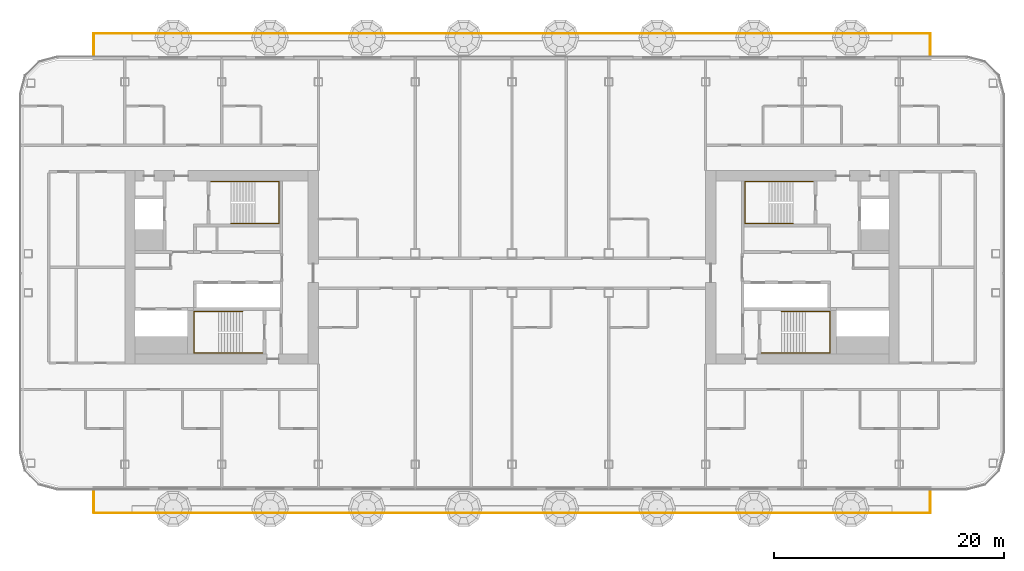
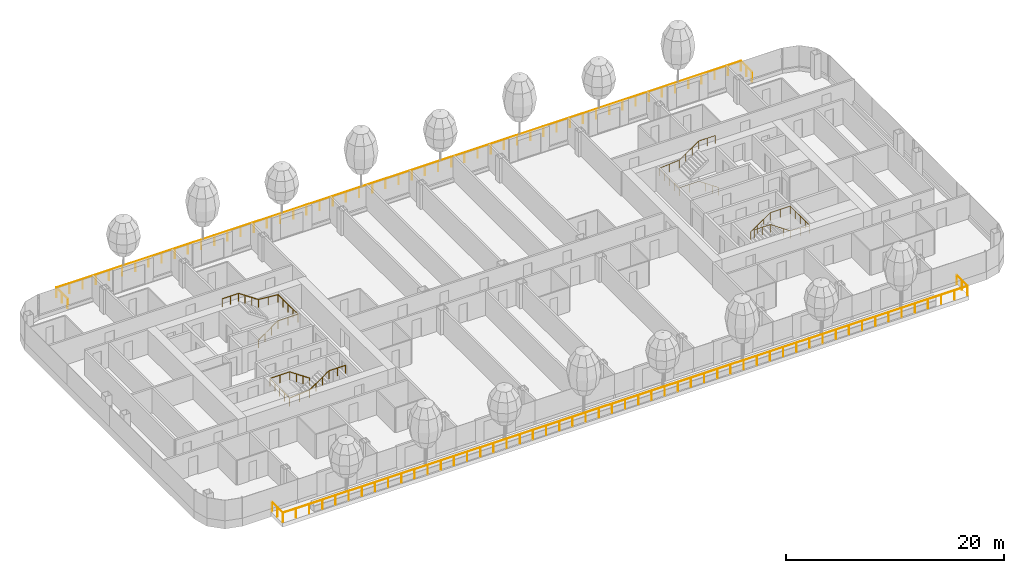
# One storey, part 24 of 29: 6 railings.
"""IFC4 building model written with IfcOpenShell, lengths in metres."""

from ifc_helpers import new_model, si_unit, direction, frame, origin, origin_2d, place, context, subcontext, project, spatial, circle, extrude, material, type_object, element, save


model = new_model("IFC4")

# Units and contexts
model_context = context("Model", 3, precision=1e-05, world=origin(), true_north=direction((0.0, 1.0)))
body_context = subcontext(model_context, "Body", "Model", "MODEL_VIEW")
ifc_project = project(units=[si_unit("LENGTHUNIT", "METRE"), si_unit("AREAUNIT", "SQUARE_METRE"), si_unit("VOLUMEUNIT", "CUBIC_METRE"), si_unit("PLANEANGLEUNIT", "RADIAN"), si_unit("MASSUNIT", "GRAM", prefix="KILO")], contexts=[model_context])

# Site, building, storey
site_placement = place(None, origin())
site = spatial("IfcSite", under=ifc_project, at=site_placement, CompositionType="ELEMENT")
building_placement = place(site_placement, origin())
building = spatial("IfcBuilding", under=site, at=building_placement, Name="Hakoniwa Tower and Hamabe Station Hall", CompositionType="ELEMENT")
storey_placement = place(building_placement, frame((0.0, 0.0, 163.0)))
storey = spatial("IfcBuildingStorey", under=building, at=storey_placement, Name="L46", CompositionType="ELEMENT", Elevation=163.0)

# Railings
ifc_material_1 = material(Name="Stainless steel and laminated glass", Category="steel")
railing_type_1 = type_object("IfcRailingType", Name="BALCONY BALUSTRADE 1100", PredefinedType="BALUSTRADE", material=ifc_material_1)
railing_1_placement = place(storey_placement, frame((-36.300048828125, 18.300048828125, 0.0)))
element("IfcRailing", 1, at=railing_1_placement, inside=storey, type_object=railing_type_1, Name="Balcony balustrade", PredefinedType="BALUSTRADE", context=body_context, shape_type="SweptSolid", body=[
    extrude(circle(Radius=0.02392578125, at=origin_2d()), frame((0.0, 0.0, 1.076171875), z_axis=(0.0, 1.0, 0.0), x_axis=(-1.0, 0.0, 0.0)), (0.0, 0.0, 1.0), 2.0),
    extrude(circle(Radius=0.02392578125, at=origin_2d()), frame((0.0, 2.0, 1.076171875), z_axis=(1.0, 0.0, 0.0), x_axis=(0.0, 1.0, 0.0)), (0.0, 0.0, 1.0), 72.60009765625),
    extrude(circle(Radius=0.02392578125, at=origin_2d()), frame((72.60009765625, 2.0, 1.076171875), z_axis=(0.0, -1.0, 0.0), x_axis=(1.0, 0.0, 0.0)), (0.0, 0.0, 1.0), 2.0),
    extrude(circle(Radius=0.02099609375, at=origin_2d()), origin(), (0.0, 0.0, 1.0), 1.052001953125),
    extrude(circle(Radius=0.02099609375, at=origin_2d()), frame((0.0, 1.0, 0.0)), (0.0, 0.0, 1.0), 1.052001953125),
    extrude(circle(Radius=0.02099609375, at=origin_2d()), frame((0.0, 2.0, 0.0)), (0.0, 0.0, 1.0), 1.052001953125),
    extrude(circle(Radius=0.02099609375, at=origin_2d()), frame((1.396240234375, 2.0, 0.0)), (0.0, 0.0, 1.0), 1.052001953125),
    extrude(circle(Radius=0.02099609375, at=origin_2d()), frame((2.792236328125, 2.0, 0.0)), (0.0, 0.0, 1.0), 1.052001953125),
    extrude(circle(Radius=0.02099609375, at=origin_2d()), frame((4.1884765625, 2.0, 0.0)), (0.0, 0.0, 1.0), 1.052001953125),
    extrude(circle(Radius=0.02099609375, at=origin_2d()), frame((5.584716796875, 2.0, 0.0)), (0.0, 0.0, 1.0), 1.052001953125),
    extrude(circle(Radius=0.02099609375, at=origin_2d()), frame((6.980712890625, 2.0, 0.0)), (0.0, 0.0, 1.0), 1.052001953125),
    extrude(circle(Radius=0.02099609375, at=origin_2d()), frame((8.376953125, 2.0, 0.0)), (0.0, 0.0, 1.0), 1.052001953125),
    extrude(circle(Radius=0.02099609375, at=origin_2d()), frame((9.773193359375, 2.0, 0.0)), (0.0, 0.0, 1.0), 1.052001953125),
    extrude(circle(Radius=0.02099609375, at=origin_2d()), frame((11.169189453125, 2.0, 0.0)), (0.0, 0.0, 1.0), 1.052001953125),
    extrude(circle(Radius=0.02099609375, at=origin_2d()), frame((12.5654296875, 2.0, 0.0)), (0.0, 0.0, 1.0), 1.052001953125),
    extrude(circle(Radius=0.02099609375, at=origin_2d()), frame((13.961669921875, 2.0, 0.0)), (0.0, 0.0, 1.0), 1.052001953125),
    extrude(circle(Radius=0.02099609375, at=origin_2d()), frame((15.357666015625, 2.0, 0.0)), (0.0, 0.0, 1.0), 1.052001953125),
    extrude(circle(Radius=0.02099609375, at=origin_2d()), frame((16.75390625, 2.0, 0.0)), (0.0, 0.0, 1.0), 1.052001953125),
    extrude(circle(Radius=0.02099609375, at=origin_2d()), frame((18.14990234375, 2.0, 0.0)), (0.0, 0.0, 1.0), 1.052001953125),
    extrude(circle(Radius=0.02099609375, at=origin_2d()), frame((19.546142578125, 2.0, 0.0)), (0.0, 0.0, 1.0), 1.052001953125),
    extrude(circle(Radius=0.02099609375, at=origin_2d()), frame((20.9423828125, 2.0, 0.0)), (0.0, 0.0, 1.0), 1.052001953125),
    extrude(circle(Radius=0.02099609375, at=origin_2d()), frame((22.33837890625, 2.0, 0.0)), (0.0, 0.0, 1.0), 1.052001953125),
    extrude(circle(Radius=0.02099609375, at=origin_2d()), frame((23.734619140625, 2.0, 0.0)), (0.0, 0.0, 1.0), 1.052001953125),
    extrude(circle(Radius=0.02099609375, at=origin_2d()), frame((25.130859375, 2.0, 0.0)), (0.0, 0.0, 1.0), 1.052001953125),
    extrude(circle(Radius=0.02099609375, at=origin_2d()), frame((26.52685546875, 2.0, 0.0)), (0.0, 0.0, 1.0), 1.052001953125),
    extrude(circle(Radius=0.02099609375, at=origin_2d()), frame((27.923095703125, 2.0, 0.0)), (0.0, 0.0, 1.0), 1.052001953125),
    extrude(circle(Radius=0.02099609375, at=origin_2d()), frame((29.3193359375, 2.0, 0.0)), (0.0, 0.0, 1.0), 1.052001953125),
    extrude(circle(Radius=0.02099609375, at=origin_2d()), frame((30.71533203125, 2.0, 0.0)), (0.0, 0.0, 1.0), 1.052001953125),
    extrude(circle(Radius=0.02099609375, at=origin_2d()), frame((32.111572265625, 2.0, 0.0)), (0.0, 0.0, 1.0), 1.052001953125),
    extrude(circle(Radius=0.02099609375, at=origin_2d()), frame((33.5078125, 2.0, 0.0)), (0.0, 0.0, 1.0), 1.052001953125),
    extrude(circle(Radius=0.02099609375, at=origin_2d()), frame((34.90380859375, 2.0, 0.0)), (0.0, 0.0, 1.0), 1.052001953125),
    extrude(circle(Radius=0.02099609375, at=origin_2d()), frame((36.300048828125, 2.0, 0.0)), (0.0, 0.0, 1.0), 1.052001953125),
    extrude(circle(Radius=0.02099609375, at=origin_2d()), frame((37.6962890625, 2.0, 0.0)), (0.0, 0.0, 1.0), 1.052001953125),
    extrude(circle(Radius=0.02099609375, at=origin_2d()), frame((39.09228515625, 2.0, 0.0)), (0.0, 0.0, 1.0), 1.052001953125),
    extrude(circle(Radius=0.02099609375, at=origin_2d()), frame((40.488525390625, 2.0, 0.0)), (0.0, 0.0, 1.0), 1.052001953125),
    extrude(circle(Radius=0.02099609375, at=origin_2d()), frame((41.884765625, 2.0, 0.0)), (0.0, 0.0, 1.0), 1.052001953125),
    extrude(circle(Radius=0.02099609375, at=origin_2d()), frame((43.28076171875, 2.0, 0.0)), (0.0, 0.0, 1.0), 1.052001953125),
    extrude(circle(Radius=0.02099609375, at=origin_2d()), frame((44.677001953125, 2.0, 0.0)), (0.0, 0.0, 1.0), 1.052001953125),
    extrude(circle(Radius=0.02099609375, at=origin_2d()), frame((46.0732421875, 2.0, 0.0)), (0.0, 0.0, 1.0), 1.052001953125),
    extrude(circle(Radius=0.02099609375, at=origin_2d()), frame((47.46923828125, 2.0, 0.0)), (0.0, 0.0, 1.0), 1.052001953125),
    extrude(circle(Radius=0.02099609375, at=origin_2d()), frame((48.865478515625, 2.0, 0.0)), (0.0, 0.0, 1.0), 1.052001953125),
    extrude(circle(Radius=0.02099609375, at=origin_2d()), frame((50.26171875, 2.0, 0.0)), (0.0, 0.0, 1.0), 1.052001953125),
    extrude(circle(Radius=0.02099609375, at=origin_2d()), frame((51.65771484375, 2.0, 0.0)), (0.0, 0.0, 1.0), 1.052001953125),
    extrude(circle(Radius=0.02099609375, at=origin_2d()), frame((53.053955078125, 2.0, 0.0)), (0.0, 0.0, 1.0), 1.052001953125),
    extrude(circle(Radius=0.02099609375, at=origin_2d()), frame((54.4501953125, 2.0, 0.0)), (0.0, 0.0, 1.0), 1.052001953125),
    extrude(circle(Radius=0.02099609375, at=origin_2d()), frame((55.84619140625, 2.0, 0.0)), (0.0, 0.0, 1.0), 1.052001953125),
    extrude(circle(Radius=0.02099609375, at=origin_2d()), frame((57.242431640625, 2.0, 0.0)), (0.0, 0.0, 1.0), 1.052001953125),
    extrude(circle(Radius=0.02099609375, at=origin_2d()), frame((58.638427734375, 2.0, 0.0)), (0.0, 0.0, 1.0), 1.052001953125),
    extrude(circle(Radius=0.02099609375, at=origin_2d()), frame((60.03466796875, 2.0, 0.0)), (0.0, 0.0, 1.0), 1.052001953125),
    extrude(circle(Radius=0.02099609375, at=origin_2d()), frame((61.430908203125, 2.0, 0.0)), (0.0, 0.0, 1.0), 1.052001953125),
    extrude(circle(Radius=0.02099609375, at=origin_2d()), frame((62.826904296875, 2.0, 0.0)), (0.0, 0.0, 1.0), 1.052001953125),
    extrude(circle(Radius=0.02099609375, at=origin_2d()), frame((64.22314453125, 2.0, 0.0)), (0.0, 0.0, 1.0), 1.052001953125),
    extrude(circle(Radius=0.02099609375, at=origin_2d()), frame((65.619384765625, 2.0, 0.0)), (0.0, 0.0, 1.0), 1.052001953125),
    extrude(circle(Radius=0.02099609375, at=origin_2d()), frame((67.015380859375, 2.0, 0.0)), (0.0, 0.0, 1.0), 1.052001953125),
    extrude(circle(Radius=0.02099609375, at=origin_2d()), frame((68.41162109375, 2.0, 0.0)), (0.0, 0.0, 1.0), 1.052001953125),
    extrude(circle(Radius=0.02099609375, at=origin_2d()), frame((69.807861328125, 2.0, 0.0)), (0.0, 0.0, 1.0), 1.052001953125),
    extrude(circle(Radius=0.02099609375, at=origin_2d()), frame((71.203857421875, 2.0, 0.0)), (0.0, 0.0, 1.0), 1.052001953125),
    extrude(circle(Radius=0.02099609375, at=origin_2d()), frame((72.60009765625, 2.0, 0.0)), (0.0, 0.0, 1.0), 1.052001953125),
    extrude(circle(Radius=0.02099609375, at=origin_2d()), frame((72.60009765625, 1.0, 0.0)), (0.0, 0.0, 1.0), 1.052001953125),
    extrude(circle(Radius=0.02099609375, at=origin_2d()), frame((72.60009765625, 0.0, 0.0)), (0.0, 0.0, 1.0), 1.052001953125),
])
railing_2_placement = place(storey_placement, frame((-36.300048828125, -19.300048828125, 0.0)))
element("IfcRailing", 2, at=railing_2_placement, inside=storey, type_object=railing_type_1, Name="Balcony balustrade", PredefinedType="BALUSTRADE", context=body_context, shape_type="SweptSolid", body=[
    extrude(circle(Radius=0.02392578125, at=origin_2d()), frame((0.0, 0.0, 1.076171875), z_axis=(0.0, -1.0, 0.0), x_axis=(1.0, 0.0, 0.0)), (0.0, 0.0, 1.0), 2.0),
    extrude(circle(Radius=0.02392578125, at=origin_2d()), frame((0.0, -2.0, 1.076171875), z_axis=(1.0, 0.0, 0.0), x_axis=(0.0, 1.0, 0.0)), (0.0, 0.0, 1.0), 72.60009765625),
    extrude(circle(Radius=0.02392578125, at=origin_2d()), frame((72.60009765625, -2.0, 1.076171875), z_axis=(0.0, 1.0, 0.0), x_axis=(-1.0, 0.0, 0.0)), (0.0, 0.0, 1.0), 2.0),
    extrude(circle(Radius=0.02099609375, at=origin_2d()), origin(), (0.0, 0.0, 1.0), 1.052001953125),
    extrude(circle(Radius=0.02099609375, at=origin_2d()), frame((0.0, -1.0, 0.0)), (0.0, 0.0, 1.0), 1.052001953125),
    extrude(circle(Radius=0.02099609375, at=origin_2d()), frame((0.0, -2.0, 0.0)), (0.0, 0.0, 1.0), 1.052001953125),
    extrude(circle(Radius=0.02099609375, at=origin_2d()), frame((1.396240234375, -2.0, 0.0)), (0.0, 0.0, 1.0), 1.052001953125),
    extrude(circle(Radius=0.02099609375, at=origin_2d()), frame((2.792236328125, -2.0, 0.0)), (0.0, 0.0, 1.0), 1.052001953125),
    extrude(circle(Radius=0.02099609375, at=origin_2d()), frame((4.1884765625, -2.0, 0.0)), (0.0, 0.0, 1.0), 1.052001953125),
    extrude(circle(Radius=0.02099609375, at=origin_2d()), frame((5.584716796875, -2.0, 0.0)), (0.0, 0.0, 1.0), 1.052001953125),
    extrude(circle(Radius=0.02099609375, at=origin_2d()), frame((6.980712890625, -2.0, 0.0)), (0.0, 0.0, 1.0), 1.052001953125),
    extrude(circle(Radius=0.02099609375, at=origin_2d()), frame((8.376953125, -2.0, 0.0)), (0.0, 0.0, 1.0), 1.052001953125),
    extrude(circle(Radius=0.02099609375, at=origin_2d()), frame((9.773193359375, -2.0, 0.0)), (0.0, 0.0, 1.0), 1.052001953125),
    extrude(circle(Radius=0.02099609375, at=origin_2d()), frame((11.169189453125, -2.0, 0.0)), (0.0, 0.0, 1.0), 1.052001953125),
    extrude(circle(Radius=0.02099609375, at=origin_2d()), frame((12.5654296875, -2.0, 0.0)), (0.0, 0.0, 1.0), 1.052001953125),
    extrude(circle(Radius=0.02099609375, at=origin_2d()), frame((13.961669921875, -2.0, 0.0)), (0.0, 0.0, 1.0), 1.052001953125),
    extrude(circle(Radius=0.02099609375, at=origin_2d()), frame((15.357666015625, -2.0, 0.0)), (0.0, 0.0, 1.0), 1.052001953125),
    extrude(circle(Radius=0.02099609375, at=origin_2d()), frame((16.75390625, -2.0, 0.0)), (0.0, 0.0, 1.0), 1.052001953125),
    extrude(circle(Radius=0.02099609375, at=origin_2d()), frame((18.14990234375, -2.0, 0.0)), (0.0, 0.0, 1.0), 1.052001953125),
    extrude(circle(Radius=0.02099609375, at=origin_2d()), frame((19.546142578125, -2.0, 0.0)), (0.0, 0.0, 1.0), 1.052001953125),
    extrude(circle(Radius=0.02099609375, at=origin_2d()), frame((20.9423828125, -2.0, 0.0)), (0.0, 0.0, 1.0), 1.052001953125),
    extrude(circle(Radius=0.02099609375, at=origin_2d()), frame((22.33837890625, -2.0, 0.0)), (0.0, 0.0, 1.0), 1.052001953125),
    extrude(circle(Radius=0.02099609375, at=origin_2d()), frame((23.734619140625, -2.0, 0.0)), (0.0, 0.0, 1.0), 1.052001953125),
    extrude(circle(Radius=0.02099609375, at=origin_2d()), frame((25.130859375, -2.0, 0.0)), (0.0, 0.0, 1.0), 1.052001953125),
    extrude(circle(Radius=0.02099609375, at=origin_2d()), frame((26.52685546875, -2.0, 0.0)), (0.0, 0.0, 1.0), 1.052001953125),
    extrude(circle(Radius=0.02099609375, at=origin_2d()), frame((27.923095703125, -2.0, 0.0)), (0.0, 0.0, 1.0), 1.052001953125),
    extrude(circle(Radius=0.02099609375, at=origin_2d()), frame((29.3193359375, -2.0, 0.0)), (0.0, 0.0, 1.0), 1.052001953125),
    extrude(circle(Radius=0.02099609375, at=origin_2d()), frame((30.71533203125, -2.0, 0.0)), (0.0, 0.0, 1.0), 1.052001953125),
    extrude(circle(Radius=0.02099609375, at=origin_2d()), frame((32.111572265625, -2.0, 0.0)), (0.0, 0.0, 1.0), 1.052001953125),
    extrude(circle(Radius=0.02099609375, at=origin_2d()), frame((33.5078125, -2.0, 0.0)), (0.0, 0.0, 1.0), 1.052001953125),
    extrude(circle(Radius=0.02099609375, at=origin_2d()), frame((34.90380859375, -2.0, 0.0)), (0.0, 0.0, 1.0), 1.052001953125),
    extrude(circle(Radius=0.02099609375, at=origin_2d()), frame((36.300048828125, -2.0, 0.0)), (0.0, 0.0, 1.0), 1.052001953125),
    extrude(circle(Radius=0.02099609375, at=origin_2d()), frame((37.6962890625, -2.0, 0.0)), (0.0, 0.0, 1.0), 1.052001953125),
    extrude(circle(Radius=0.02099609375, at=origin_2d()), frame((39.09228515625, -2.0, 0.0)), (0.0, 0.0, 1.0), 1.052001953125),
    extrude(circle(Radius=0.02099609375, at=origin_2d()), frame((40.488525390625, -2.0, 0.0)), (0.0, 0.0, 1.0), 1.052001953125),
    extrude(circle(Radius=0.02099609375, at=origin_2d()), frame((41.884765625, -2.0, 0.0)), (0.0, 0.0, 1.0), 1.052001953125),
    extrude(circle(Radius=0.02099609375, at=origin_2d()), frame((43.28076171875, -2.0, 0.0)), (0.0, 0.0, 1.0), 1.052001953125),
    extrude(circle(Radius=0.02099609375, at=origin_2d()), frame((44.677001953125, -2.0, 0.0)), (0.0, 0.0, 1.0), 1.052001953125),
    extrude(circle(Radius=0.02099609375, at=origin_2d()), frame((46.0732421875, -2.0, 0.0)), (0.0, 0.0, 1.0), 1.052001953125),
    extrude(circle(Radius=0.02099609375, at=origin_2d()), frame((47.46923828125, -2.0, 0.0)), (0.0, 0.0, 1.0), 1.052001953125),
    extrude(circle(Radius=0.02099609375, at=origin_2d()), frame((48.865478515625, -2.0, 0.0)), (0.0, 0.0, 1.0), 1.052001953125),
    extrude(circle(Radius=0.02099609375, at=origin_2d()), frame((50.26171875, -2.0, 0.0)), (0.0, 0.0, 1.0), 1.052001953125),
    extrude(circle(Radius=0.02099609375, at=origin_2d()), frame((51.65771484375, -2.0, 0.0)), (0.0, 0.0, 1.0), 1.052001953125),
    extrude(circle(Radius=0.02099609375, at=origin_2d()), frame((53.053955078125, -2.0, 0.0)), (0.0, 0.0, 1.0), 1.052001953125),
    extrude(circle(Radius=0.02099609375, at=origin_2d()), frame((54.4501953125, -2.0, 0.0)), (0.0, 0.0, 1.0), 1.052001953125),
    extrude(circle(Radius=0.02099609375, at=origin_2d()), frame((55.84619140625, -2.0, 0.0)), (0.0, 0.0, 1.0), 1.052001953125),
    extrude(circle(Radius=0.02099609375, at=origin_2d()), frame((57.242431640625, -2.0, 0.0)), (0.0, 0.0, 1.0), 1.052001953125),
    extrude(circle(Radius=0.02099609375, at=origin_2d()), frame((58.638427734375, -2.0, 0.0)), (0.0, 0.0, 1.0), 1.052001953125),
    extrude(circle(Radius=0.02099609375, at=origin_2d()), frame((60.03466796875, -2.0, 0.0)), (0.0, 0.0, 1.0), 1.052001953125),
    extrude(circle(Radius=0.02099609375, at=origin_2d()), frame((61.430908203125, -2.0, 0.0)), (0.0, 0.0, 1.0), 1.052001953125),
    extrude(circle(Radius=0.02099609375, at=origin_2d()), frame((62.826904296875, -2.0, 0.0)), (0.0, 0.0, 1.0), 1.052001953125),
    extrude(circle(Radius=0.02099609375, at=origin_2d()), frame((64.22314453125, -2.0, 0.0)), (0.0, 0.0, 1.0), 1.052001953125),
    extrude(circle(Radius=0.02099609375, at=origin_2d()), frame((65.619384765625, -2.0, 0.0)), (0.0, 0.0, 1.0), 1.052001953125),
    extrude(circle(Radius=0.02099609375, at=origin_2d()), frame((67.015380859375, -2.0, 0.0)), (0.0, 0.0, 1.0), 1.052001953125),
    extrude(circle(Radius=0.02099609375, at=origin_2d()), frame((68.41162109375, -2.0, 0.0)), (0.0, 0.0, 1.0), 1.052001953125),
    extrude(circle(Radius=0.02099609375, at=origin_2d()), frame((69.807861328125, -2.0, 0.0)), (0.0, 0.0, 1.0), 1.052001953125),
    extrude(circle(Radius=0.02099609375, at=origin_2d()), frame((71.203857421875, -2.0, 0.0)), (0.0, 0.0, 1.0), 1.052001953125),
    extrude(circle(Radius=0.02099609375, at=origin_2d()), frame((72.60009765625, -2.0, 0.0)), (0.0, 0.0, 1.0), 1.052001953125),
    extrude(circle(Radius=0.02099609375, at=origin_2d()), frame((72.60009765625, -1.0, 0.0)), (0.0, 0.0, 1.0), 1.052001953125),
    extrude(circle(Radius=0.02099609375, at=origin_2d()), frame((72.60009765625, 0.0, 0.0)), (0.0, 0.0, 1.0), 1.052001953125),
])
ifc_material_2 = material(Name="Stainless steel SUS304", Category="steel")
railing_type_2 = type_object("IfcRailingType", Name="STAIR HANDRAIL 900", PredefinedType="HANDRAIL", material=ifc_material_2)
railing_3_placement = place(storey_placement, frame((-24.39990234375, 3.81005859375, 0.177734375)))
element("IfcRailing", 3, at=railing_3_placement, inside=storey, type_object=railing_type_2, Name="Handrail ST-1 L46 1", PredefinedType="HANDRAIL", context=body_context, shape_type="SweptSolid", body=[
    extrude(circle(Radius=0.02392578125, at=origin_2d()), frame((0.0, 0.0, 0.8759765625), z_axis=(0.825433201882, 0.0, 0.564499804456), x_axis=(0.0, 1.0, 0.0)), (0.0, 0.0, 1.0), 2.519775390625),
    extrude(circle(Radius=0.02392578125, at=origin_2d()), frame((2.079833984375, 0.0, 2.29833984375), z_axis=(1.0, 0.0, 0.0), x_axis=(0.0, 1.0, 0.0)), (0.0, 0.0, 1.0), 2.110107421875),
    extrude(circle(Radius=0.02392578125, at=origin_2d()), frame((4.18994140625, 0.0, 2.29833984375), z_axis=(0.0, 1.0, 0.0), x_axis=(-1.0, 0.0, 0.0)), (0.0, 0.0, 1.0), 3.6298828125),
    extrude(circle(Radius=0.02392578125, at=origin_2d()), frame((4.18994140625, 3.6298828125, 2.29833984375), z_axis=(-0.996471417081, 0.0, 0.083932800143), x_axis=(0.0, -1.0, 0.0)), (0.0, 0.0, 1.0), 2.11767578125),
    extrude(circle(Radius=0.02392578125, at=origin_2d()), frame((2.079833984375, 3.6298828125, 2.47607421875), z_axis=(-0.825478349766, 0.0, 0.564433781827), x_axis=(0.0, -1.0, 0.0)), (0.0, 0.0, 1.0), 2.51953125),
    extrude(circle(Radius=0.02392578125, at=origin_2d()), frame((0.0, 3.6298828125, 3.89794921875), z_axis=(-1.0, 0.0, 0.0), x_axis=(0.0, -1.0, 0.0)), (0.0, 0.0, 1.0), 1.739990234375),
    extrude(circle(Radius=0.02099609375, at=origin_2d()), origin(), (0.0, 0.0, 1.0), 0.851806640625),
    extrude(circle(Radius=0.02099609375, at=origin_2d()), frame((0.693359375, 0.0, 0.47412109375)), (0.0, 0.0, 1.0), 0.851806640625),
    extrude(circle(Radius=0.02099609375, at=origin_2d()), frame((1.386474609375, 0.0, 0.9482421875)), (0.0, 0.0, 1.0), 0.851806640625),
    extrude(circle(Radius=0.02099609375, at=origin_2d()), frame((2.079833984375, 0.0, 1.42236328125)), (0.0, 0.0, 1.0), 0.851806640625),
    extrude(circle(Radius=0.02099609375, at=origin_2d()), frame((3.134765625, 0.0, 1.42236328125)), (0.0, 0.0, 1.0), 0.851806640625),
    extrude(circle(Radius=0.02099609375, at=origin_2d()), frame((4.18994140625, 0.0, 1.42236328125)), (0.0, 0.0, 1.0), 0.851806640625),
    extrude(circle(Radius=0.02099609375, at=origin_2d()), frame((4.18994140625, 0.907470703125, 1.42236328125)), (0.0, 0.0, 1.0), 0.851806640625),
    extrude(circle(Radius=0.02099609375, at=origin_2d()), frame((4.18994140625, 1.81494140625, 1.42236328125)), (0.0, 0.0, 1.0), 0.851806640625),
    extrude(circle(Radius=0.02099609375, at=origin_2d()), frame((4.18994140625, 2.722412109375, 1.42236328125)), (0.0, 0.0, 1.0), 0.851806640625),
    extrude(circle(Radius=0.02099609375, at=origin_2d()), frame((4.18994140625, 3.6298828125, 1.42236328125)), (0.0, 0.0, 1.0), 0.851806640625),
    extrude(circle(Radius=0.02099609375, at=origin_2d()), frame((3.134765625, 3.6298828125, 1.51123046875)), (0.0, 0.0, 1.0), 0.851806640625),
    extrude(circle(Radius=0.02099609375, at=origin_2d()), frame((2.079833984375, 3.6298828125, 1.60009765625)), (0.0, 0.0, 1.0), 0.851806640625),
    extrude(circle(Radius=0.02099609375, at=origin_2d()), frame((1.386474609375, 3.6298828125, 2.07421875)), (0.0, 0.0, 1.0), 0.851806640625),
    extrude(circle(Radius=0.02099609375, at=origin_2d()), frame((0.693359375, 3.6298828125, 2.548095703125)), (0.0, 0.0, 1.0), 0.851806640625),
    extrude(circle(Radius=0.02099609375, at=origin_2d()), frame((0.0, 3.6298828125, 3.022216796875)), (0.0, 0.0, 1.0), 0.851806640625),
    extrude(circle(Radius=0.02099609375, at=origin_2d()), frame((-0.8701171875, 3.6298828125, 3.022216796875)), (0.0, 0.0, 1.0), 0.851806640625),
    extrude(circle(Radius=0.02099609375, at=origin_2d()), frame((-1.739990234375, 3.6298828125, 3.022216796875)), (0.0, 0.0, 1.0), 0.851806640625),
])
railing_4_placement = place(storey_placement, frame((-23.39990234375, -3.81005859375, 0.177734375)))
element("IfcRailing", 4, at=railing_4_placement, inside=storey, type_object=railing_type_2, Name="Handrail ST-2 L46 1", PredefinedType="HANDRAIL", context=body_context, shape_type="SweptSolid", body=[
    extrude(circle(Radius=0.02392578125, at=origin_2d()), frame((0.0, 0.0, 0.8759765625), z_axis=(-0.825464074169, 0.0, 0.564454659168), x_axis=(0.0, -1.0, 0.0)), (0.0, 0.0, 1.0), 2.519775390625),
    extrude(circle(Radius=0.02392578125, at=origin_2d()), frame((-2.080078125, 0.0, 2.29833984375), z_axis=(-1.0, 0.0, 0.0), x_axis=(0.0, -1.0, 0.0)), (0.0, 0.0, 1.0), 2.110107421875),
    extrude(circle(Radius=0.02392578125, at=origin_2d()), frame((-4.190185546875, 0.0, 2.29833984375), z_axis=(0.0, -1.0, 0.0), x_axis=(1.0, 0.0, 0.0)), (0.0, 0.0, 1.0), 3.6298828125),
    extrude(circle(Radius=0.02392578125, at=origin_2d()), frame((-4.190185546875, -3.6298828125, 2.29833984375), z_axis=(0.996471417081, 0.0, 0.083932800143), x_axis=(0.0, 1.0, 0.0)), (0.0, 0.0, 1.0), 2.11767578125),
    extrude(circle(Radius=0.02392578125, at=origin_2d()), frame((-2.080078125, -3.6298828125, 2.47607421875), z_axis=(0.82550921652, 0.0, 0.564388636881), x_axis=(0.0, 1.0, 0.0)), (0.0, 0.0, 1.0), 2.519775390625),
    extrude(circle(Radius=0.02392578125, at=origin_2d()), frame((0.0, -3.6298828125, 3.89794921875), z_axis=(1.0, 0.0, 0.0), x_axis=(0.0, 1.0, 0.0)), (0.0, 0.0, 1.0), 1.739990234375),
    extrude(circle(Radius=0.02099609375, at=origin_2d()), origin(), (0.0, 0.0, 1.0), 0.851806640625),
    extrude(circle(Radius=0.02099609375, at=origin_2d()), frame((-0.693359375, 0.0, 0.47412109375)), (0.0, 0.0, 1.0), 0.851806640625),
    extrude(circle(Radius=0.02099609375, at=origin_2d()), frame((-1.38671875, 0.0, 0.9482421875)), (0.0, 0.0, 1.0), 0.851806640625),
    extrude(circle(Radius=0.02099609375, at=origin_2d()), frame((-2.080078125, 0.0, 1.42236328125)), (0.0, 0.0, 1.0), 0.851806640625),
    extrude(circle(Radius=0.02099609375, at=origin_2d()), frame((-3.13525390625, 0.0, 1.42236328125)), (0.0, 0.0, 1.0), 0.851806640625),
    extrude(circle(Radius=0.02099609375, at=origin_2d()), frame((-4.190185546875, 0.0, 1.42236328125)), (0.0, 0.0, 1.0), 0.851806640625),
    extrude(circle(Radius=0.02099609375, at=origin_2d()), frame((-4.190185546875, -0.907470703125, 1.42236328125)), (0.0, 0.0, 1.0), 0.851806640625),
    extrude(circle(Radius=0.02099609375, at=origin_2d()), frame((-4.190185546875, -1.81494140625, 1.42236328125)), (0.0, 0.0, 1.0), 0.851806640625),
    extrude(circle(Radius=0.02099609375, at=origin_2d()), frame((-4.190185546875, -2.722412109375, 1.42236328125)), (0.0, 0.0, 1.0), 0.851806640625),
    extrude(circle(Radius=0.02099609375, at=origin_2d()), frame((-4.190185546875, -3.6298828125, 1.42236328125)), (0.0, 0.0, 1.0), 0.851806640625),
    extrude(circle(Radius=0.02099609375, at=origin_2d()), frame((-3.13525390625, -3.6298828125, 1.51123046875)), (0.0, 0.0, 1.0), 0.851806640625),
    extrude(circle(Radius=0.02099609375, at=origin_2d()), frame((-2.080078125, -3.6298828125, 1.60009765625)), (0.0, 0.0, 1.0), 0.851806640625),
    extrude(circle(Radius=0.02099609375, at=origin_2d()), frame((-1.38671875, -3.6298828125, 2.07421875)), (0.0, 0.0, 1.0), 0.851806640625),
    extrude(circle(Radius=0.02099609375, at=origin_2d()), frame((-0.693359375, -3.6298828125, 2.548095703125)), (0.0, 0.0, 1.0), 0.851806640625),
    extrude(circle(Radius=0.02099609375, at=origin_2d()), frame((0.0, -3.6298828125, 3.022216796875)), (0.0, 0.0, 1.0), 0.851806640625),
    extrude(circle(Radius=0.02099609375, at=origin_2d()), frame((0.8701171875, -3.6298828125, 3.022216796875)), (0.0, 0.0, 1.0), 0.851806640625),
    extrude(circle(Radius=0.02099609375, at=origin_2d()), frame((1.739990234375, -3.6298828125, 3.022216796875)), (0.0, 0.0, 1.0), 0.851806640625),
])
railing_5_placement = place(storey_placement, frame((24.39990234375, 3.81005859375, 0.177734375)))
element("IfcRailing", 5, at=railing_5_placement, inside=storey, type_object=railing_type_2, Name="Handrail ST-3 L46 1", PredefinedType="HANDRAIL", context=body_context, shape_type="SweptSolid", body=[
    extrude(circle(Radius=0.02392578125, at=origin_2d()), frame((0.0, 0.0, 0.8759765625), z_axis=(-0.825433201882, 0.0, 0.564499804456), x_axis=(0.0, -1.0, 0.0)), (0.0, 0.0, 1.0), 2.519775390625),
    extrude(circle(Radius=0.02392578125, at=origin_2d()), frame((-2.079833984375, 0.0, 2.29833984375), z_axis=(-1.0, 0.0, 0.0), x_axis=(0.0, -1.0, 0.0)), (0.0, 0.0, 1.0), 2.110107421875),
    extrude(circle(Radius=0.02392578125, at=origin_2d()), frame((-4.18994140625, 0.0, 2.29833984375), z_axis=(0.0, 1.0, 0.0), x_axis=(-1.0, 0.0, 0.0)), (0.0, 0.0, 1.0), 3.6298828125),
    extrude(circle(Radius=0.02392578125, at=origin_2d()), frame((-4.18994140625, 3.6298828125, 2.29833984375), z_axis=(0.996471417081, 0.0, 0.083932800143), x_axis=(0.0, 1.0, 0.0)), (0.0, 0.0, 1.0), 2.11767578125),
    extrude(circle(Radius=0.02392578125, at=origin_2d()), frame((-2.079833984375, 3.6298828125, 2.47607421875), z_axis=(0.825478349766, 0.0, 0.564433781827), x_axis=(0.0, 1.0, 0.0)), (0.0, 0.0, 1.0), 2.51953125),
    extrude(circle(Radius=0.02392578125, at=origin_2d()), frame((0.0, 3.6298828125, 3.89794921875), z_axis=(1.0, 0.0, 0.0), x_axis=(0.0, 1.0, 0.0)), (0.0, 0.0, 1.0), 1.739990234375),
    extrude(circle(Radius=0.02099609375, at=origin_2d()), origin(), (0.0, 0.0, 1.0), 0.851806640625),
    extrude(circle(Radius=0.02099609375, at=origin_2d()), frame((-0.693359375, 0.0, 0.47412109375)), (0.0, 0.0, 1.0), 0.851806640625),
    extrude(circle(Radius=0.02099609375, at=origin_2d()), frame((-1.386474609375, 0.0, 0.9482421875)), (0.0, 0.0, 1.0), 0.851806640625),
    extrude(circle(Radius=0.02099609375, at=origin_2d()), frame((-2.079833984375, 0.0, 1.42236328125)), (0.0, 0.0, 1.0), 0.851806640625),
    extrude(circle(Radius=0.02099609375, at=origin_2d()), frame((-3.134765625, 0.0, 1.42236328125)), (0.0, 0.0, 1.0), 0.851806640625),
    extrude(circle(Radius=0.02099609375, at=origin_2d()), frame((-4.18994140625, 0.0, 1.42236328125)), (0.0, 0.0, 1.0), 0.851806640625),
    extrude(circle(Radius=0.02099609375, at=origin_2d()), frame((-4.18994140625, 0.907470703125, 1.42236328125)), (0.0, 0.0, 1.0), 0.851806640625),
    extrude(circle(Radius=0.02099609375, at=origin_2d()), frame((-4.18994140625, 1.81494140625, 1.42236328125)), (0.0, 0.0, 1.0), 0.851806640625),
    extrude(circle(Radius=0.02099609375, at=origin_2d()), frame((-4.18994140625, 2.722412109375, 1.42236328125)), (0.0, 0.0, 1.0), 0.851806640625),
    extrude(circle(Radius=0.02099609375, at=origin_2d()), frame((-4.18994140625, 3.6298828125, 1.42236328125)), (0.0, 0.0, 1.0), 0.851806640625),
    extrude(circle(Radius=0.02099609375, at=origin_2d()), frame((-3.134765625, 3.6298828125, 1.51123046875)), (0.0, 0.0, 1.0), 0.851806640625),
    extrude(circle(Radius=0.02099609375, at=origin_2d()), frame((-2.079833984375, 3.6298828125, 1.60009765625)), (0.0, 0.0, 1.0), 0.851806640625),
    extrude(circle(Radius=0.02099609375, at=origin_2d()), frame((-1.386474609375, 3.6298828125, 2.07421875)), (0.0, 0.0, 1.0), 0.851806640625),
    extrude(circle(Radius=0.02099609375, at=origin_2d()), frame((-0.693359375, 3.6298828125, 2.548095703125)), (0.0, 0.0, 1.0), 0.851806640625),
    extrude(circle(Radius=0.02099609375, at=origin_2d()), frame((0.0, 3.6298828125, 3.022216796875)), (0.0, 0.0, 1.0), 0.851806640625),
    extrude(circle(Radius=0.02099609375, at=origin_2d()), frame((0.8701171875, 3.6298828125, 3.022216796875)), (0.0, 0.0, 1.0), 0.851806640625),
    extrude(circle(Radius=0.02099609375, at=origin_2d()), frame((1.739990234375, 3.6298828125, 3.022216796875)), (0.0, 0.0, 1.0), 0.851806640625),
])
railing_6_placement = place(storey_placement, frame((23.39990234375, -3.81005859375, 0.177734375)))
element("IfcRailing", 6, at=railing_6_placement, inside=storey, type_object=railing_type_2, Name="Handrail ST-4 L46 1", PredefinedType="HANDRAIL", context=body_context, shape_type="SweptSolid", body=[
    extrude(circle(Radius=0.02392578125, at=origin_2d()), frame((0.0, 0.0, 0.8759765625), z_axis=(0.825464074169, 0.0, 0.564454659168), x_axis=(0.0, 1.0, 0.0)), (0.0, 0.0, 1.0), 2.519775390625),
    extrude(circle(Radius=0.02392578125, at=origin_2d()), frame((2.080078125, 0.0, 2.29833984375), z_axis=(1.0, 0.0, 0.0), x_axis=(0.0, 1.0, 0.0)), (0.0, 0.0, 1.0), 2.110107421875),
    extrude(circle(Radius=0.02392578125, at=origin_2d()), frame((4.190185546875, 0.0, 2.29833984375), z_axis=(0.0, -1.0, 0.0), x_axis=(1.0, 0.0, 0.0)), (0.0, 0.0, 1.0), 3.6298828125),
    extrude(circle(Radius=0.02392578125, at=origin_2d()), frame((4.190185546875, -3.6298828125, 2.29833984375), z_axis=(-0.996471417081, 0.0, 0.083932800143), x_axis=(0.0, -1.0, 0.0)), (0.0, 0.0, 1.0), 2.11767578125),
    extrude(circle(Radius=0.02392578125, at=origin_2d()), frame((2.080078125, -3.6298828125, 2.47607421875), z_axis=(-0.82550921652, 0.0, 0.564388636881), x_axis=(0.0, -1.0, 0.0)), (0.0, 0.0, 1.0), 2.519775390625),
    extrude(circle(Radius=0.02392578125, at=origin_2d()), frame((0.0, -3.6298828125, 3.89794921875), z_axis=(-1.0, 0.0, 0.0), x_axis=(0.0, -1.0, 0.0)), (0.0, 0.0, 1.0), 1.739990234375),
    extrude(circle(Radius=0.02099609375, at=origin_2d()), origin(), (0.0, 0.0, 1.0), 0.851806640625),
    extrude(circle(Radius=0.02099609375, at=origin_2d()), frame((0.693359375, 0.0, 0.47412109375)), (0.0, 0.0, 1.0), 0.851806640625),
    extrude(circle(Radius=0.02099609375, at=origin_2d()), frame((1.38671875, 0.0, 0.9482421875)), (0.0, 0.0, 1.0), 0.851806640625),
    extrude(circle(Radius=0.02099609375, at=origin_2d()), frame((2.080078125, 0.0, 1.42236328125)), (0.0, 0.0, 1.0), 0.851806640625),
    extrude(circle(Radius=0.02099609375, at=origin_2d()), frame((3.13525390625, 0.0, 1.42236328125)), (0.0, 0.0, 1.0), 0.851806640625),
    extrude(circle(Radius=0.02099609375, at=origin_2d()), frame((4.190185546875, 0.0, 1.42236328125)), (0.0, 0.0, 1.0), 0.851806640625),
    extrude(circle(Radius=0.02099609375, at=origin_2d()), frame((4.190185546875, -0.907470703125, 1.42236328125)), (0.0, 0.0, 1.0), 0.851806640625),
    extrude(circle(Radius=0.02099609375, at=origin_2d()), frame((4.190185546875, -1.81494140625, 1.42236328125)), (0.0, 0.0, 1.0), 0.851806640625),
    extrude(circle(Radius=0.02099609375, at=origin_2d()), frame((4.190185546875, -2.722412109375, 1.42236328125)), (0.0, 0.0, 1.0), 0.851806640625),
    extrude(circle(Radius=0.02099609375, at=origin_2d()), frame((4.190185546875, -3.6298828125, 1.42236328125)), (0.0, 0.0, 1.0), 0.851806640625),
    extrude(circle(Radius=0.02099609375, at=origin_2d()), frame((3.13525390625, -3.6298828125, 1.51123046875)), (0.0, 0.0, 1.0), 0.851806640625),
    extrude(circle(Radius=0.02099609375, at=origin_2d()), frame((2.080078125, -3.6298828125, 1.60009765625)), (0.0, 0.0, 1.0), 0.851806640625),
    extrude(circle(Radius=0.02099609375, at=origin_2d()), frame((1.38671875, -3.6298828125, 2.07421875)), (0.0, 0.0, 1.0), 0.851806640625),
    extrude(circle(Radius=0.02099609375, at=origin_2d()), frame((0.693359375, -3.6298828125, 2.548095703125)), (0.0, 0.0, 1.0), 0.851806640625),
    extrude(circle(Radius=0.02099609375, at=origin_2d()), frame((0.0, -3.6298828125, 3.022216796875)), (0.0, 0.0, 1.0), 0.851806640625),
    extrude(circle(Radius=0.02099609375, at=origin_2d()), frame((-0.8701171875, -3.6298828125, 3.022216796875)), (0.0, 0.0, 1.0), 0.851806640625),
    extrude(circle(Radius=0.02099609375, at=origin_2d()), frame((-1.739990234375, -3.6298828125, 3.022216796875)), (0.0, 0.0, 1.0), 0.851806640625),
])

save(model, "model.ifc")
